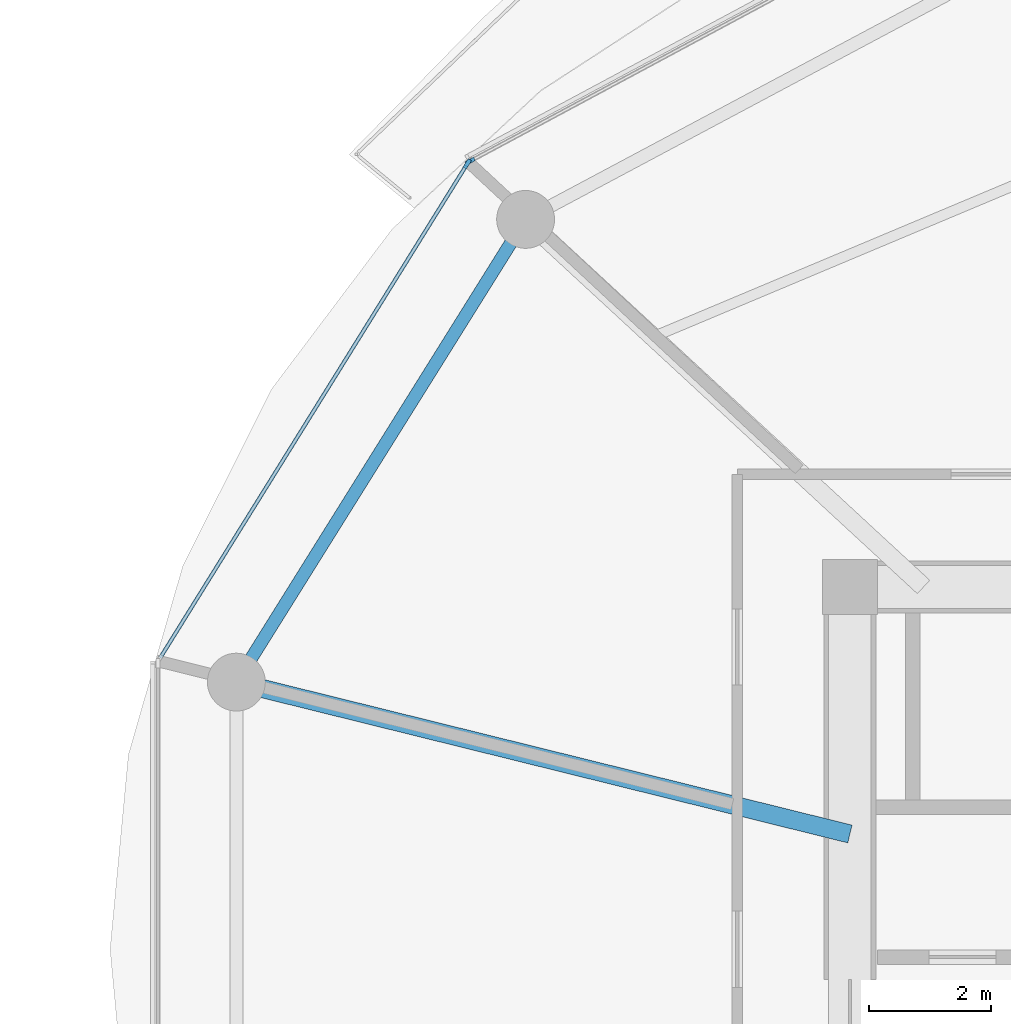
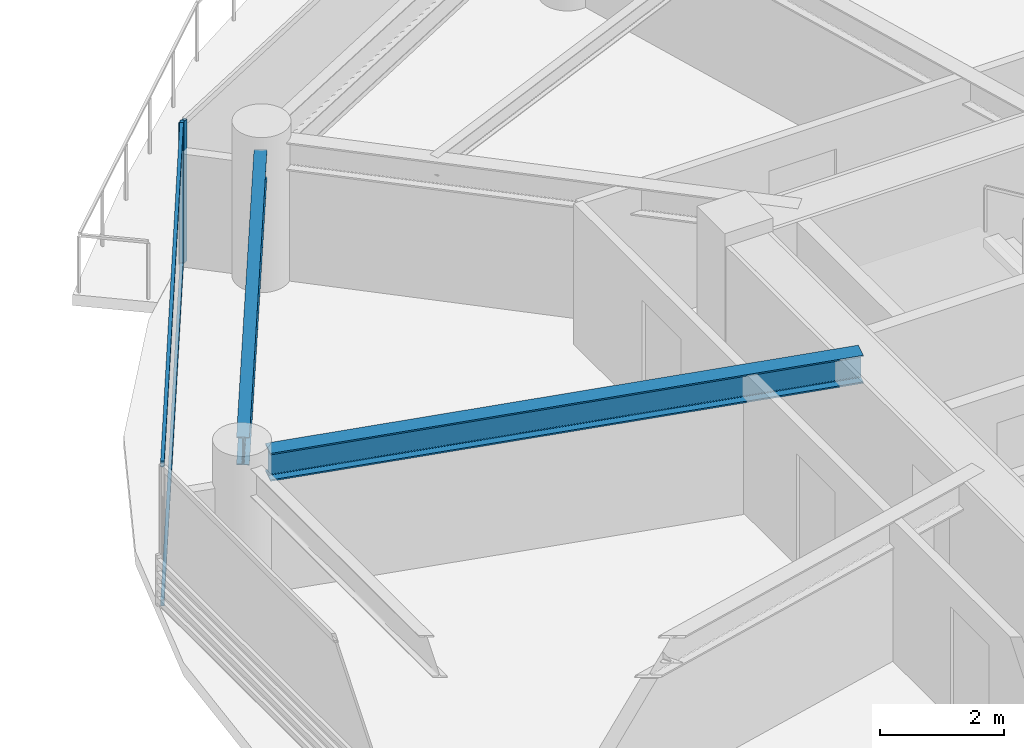
# One storey, part 8 of 27: 4 members, 2 beams, 2 elements without a shape of their own.
"""IFC4 building model written with IfcOpenShell, lengths in metres."""

from ifc_helpers import new_model, si_unit, direction, frame, origin, origin_2d, place, context, subcontext, project, spatial, rectangle, i_section, extrude, source, transform, mapped, material, layer, layer_set, material_profile, profile_set, type_object, type_shapes, element, aggregate, save


model = new_model("IFC4")

# Units and contexts
model_context = context("Model", 3, precision=1e-05, world=origin(), true_north=direction((0.0, 1.0)))
body_context = subcontext(model_context, "Body", "Model", "MODEL_VIEW")
ifc_project = project(units=[si_unit("LENGTHUNIT", "METRE"), si_unit("AREAUNIT", "SQUARE_METRE"), si_unit("VOLUMEUNIT", "CUBIC_METRE"), si_unit("PLANEANGLEUNIT", "RADIAN"), si_unit("MASSUNIT", "GRAM", prefix="KILO")], contexts=[model_context])

# Site, building, storey
site_placement = place(None, origin())
site = spatial("IfcSite", under=ifc_project, at=site_placement, CompositionType="ELEMENT")
building_placement = place(site_placement, origin())
building = spatial("IfcBuilding", under=site, at=building_placement, Name="Norrkilde Senior Care Towers", CompositionType="ELEMENT")
storey_placement = place(building_placement, frame((0.0, 0.0, 52.10009765625)))
storey = spatial("IfcBuildingStorey", under=building, at=storey_placement, Name="L15", CompositionType="ELEMENT", Elevation=52.10009765625)

# Beams
ifc_material_1 = material(Name="Steel S355", Category="steel")
ifc_material_profile_1 = material_profile(ifc_material_1, i_section(OverallWidth=0.2099609375, OverallDepth=0.550048828125, WebThickness=0.010986328125, FlangeThickness=0.01708984375, FilletRadius=0.02392578125, at=origin_2d()), Name="IPE 550")
ifc_profile_set_1 = profile_set([ifc_material_profile_1], Name="Steel S355")
beam_type_1 = type_object("IfcBeamType", Name="Perimeter Ring Spandrel Z1 IPE550", PredefinedType="SPANDREL", material=ifc_profile_set_1)
shared_shape_1 = source(origin(), body_context, "Body", "SweptSolid", [
    extrude(i_section(OverallWidth=0.2099609375, OverallDepth=0.550048828125, WebThickness=0.010986328125, FlangeThickness=0.01708984375, FilletRadius=0.02392578125, at=origin_2d()), origin(), (0.0, 0.0, 1.0), 8.090576171875),
])
type_shapes(beam_type_1, [shared_shape_1])
beam_1_placement = place(storey_placement, frame((14.7939453125, 11.61669921875, 2.514892578125), z_axis=(-0.530004364821, -0.84799491347, 0.0), x_axis=(0.84799491347, -0.530004364821, 0.0)))
element("IfcBeam", 1, at=beam_1_placement, inside=storey, type_object=beam_type_1, Name="L15 Drum E Perimeter Spandrel 05", PredefinedType="SPANDREL", context=body_context, shape_type="MappedRepresentation", body=[
    mapped(shared_shape_1, transform((0.0, 0.0, 0.0), x_axis=(1.0, 0.0, 0.0), y_axis=(0.0, 1.0, 0.0), z_axis=(0.0, 0.0, 1.0), scale=1.0)),
])
ifc_material_profile_2 = material_profile(ifc_material_1, i_section(OverallWidth=0.300048828125, OverallDepth=0.550048828125, WebThickness=0.014892578125, FlangeThickness=0.029052734375, FilletRadius=0.027099609375, at=origin_2d()), Name="HEB 550")
ifc_profile_set_2 = profile_set([ifc_material_profile_2], Name="Steel S355")
beam_type_2 = type_object("IfcBeamType", Name="Radial Floor Beam Z1 HEB550", PredefinedType="BEAM", material=ifc_profile_set_2)
shared_shape_2 = source(origin(), body_context, "Body", "SweptSolid", [
    extrude(i_section(OverallWidth=0.300048828125, OverallDepth=0.550048828125, WebThickness=0.014892578125, FlangeThickness=0.029052734375, FilletRadius=0.027099609375, at=origin_2d()), origin(), (0.0, 0.0, 1.0), 9.94384765625),
])
type_shapes(beam_type_2, [shared_shape_2])
beam_2_placement = place(storey_placement, frame((20.35009765625, 1.893310546875, 2.514892578125), z_axis=(-0.970707425182, 0.240264634718, 0.0), x_axis=(-0.240264634718, -0.970707425182, 0.0)))
element("IfcBeam", 2, at=beam_2_placement, inside=storey, type_object=beam_type_2, Name="L15 Drum E Radial Floor Beam 06", PredefinedType="BEAM", context=body_context, shape_type="MappedRepresentation", body=[
    mapped(shared_shape_2, transform((0.0, 0.0, 0.0), x_axis=(1.0, 0.0, 0.0), y_axis=(0.0, 1.0, 0.0), z_axis=(0.0, 0.0, 1.0), scale=1.0)),
])

# Curtain wall, member
ifc_material_2 = material(Name="Triple Low-E Insulated Glazing", Category="glass")
ifc_layer = layer(ifc_material_2, 0.199951171875)
ifc_layer_set = layer_set([ifc_layer], Name="Triple Low-E Insulated Glazing")
curtain_wall_type = type_object("IfcCurtainWallType", Name="CW2 Zone 1 Memory Care Curtain Wall", PredefinedType="NOTDEFINED", material=ifc_layer_set)
curtain_wall_1_placement = place(storey_placement, origin())
curtain_wall_1 = element("IfcCurtainWall", 3, at=curtain_wall_1_placement, inside=storey, type_object=curtain_wall_type, Name="L15 Drum E Curtain Wall 03", PredefinedType="NOTDEFINED")
ifc_material_3 = material(Name="Anodised Aluminium", Category="aluminium")
ifc_material_profile_3 = material_profile(ifc_material_3, rectangle(XDim=0.06494140625, YDim=0.159912109375, at=origin_2d()), Name="ALU MULL 65x160")
ifc_profile_set_3 = profile_set([ifc_material_profile_3], Name="Anodised Aluminium")
member_type_1 = type_object("IfcMemberType", Name="Curtain Wall Mullion Z1-Z2 65x160", PredefinedType="MULLION", material=ifc_profile_set_3)
shared_shape_3 = source(origin(), body_context, "Body", "SweptSolid", [
    extrude(rectangle(XDim=0.06494140625, YDim=0.159912109375, at=origin_2d()), origin(), (0.0, 0.0, 1.0), 2.789794921875),
])
type_shapes(member_type_1, [shared_shape_3])
member_1_placement = place(storey_placement, frame((14.11279296875, 12.941162109375, 0.0), z_axis=(0.0, 0.0, 1.0), x_axis=(-0.472607802456, 0.881272866403, 0.0)))
member_1 = element("IfcMember", 4, at=member_1_placement, type_object=member_type_1, Name="CW-2 mullion 1", PredefinedType="MULLION", context=body_context, shape_type="MappedRepresentation", body=[
    mapped(shared_shape_3, transform((0.0, 0.0, 0.0), x_axis=(1.0, 0.0, 0.0), y_axis=(0.0, 1.0, 0.0), z_axis=(0.0, 0.0, 1.0), scale=1.0)),
])
aggregate(curtain_wall_1, [member_1])

# Curtain wall, members
curtain_wall_2_placement = place(storey_placement, origin())
curtain_wall_2 = element("IfcCurtainWall", 5, at=curtain_wall_2_placement, inside=storey, type_object=curtain_wall_type, Name="L15 Drum E Curtain Wall 04", PredefinedType="NOTDEFINED")
member_2_placement = place(storey_placement, frame((14.06689453125, 12.898193359375, 0.0), z_axis=(0.0, 0.0, 1.0), x_axis=(-0.849305943117, 0.527900951871, 0.0)))
member_2 = element("IfcMember", 6, at=member_2_placement, type_object=member_type_1, Name="CW-2 mullion 2", PredefinedType="MULLION", context=body_context, shape_type="MappedRepresentation", body=[
    mapped(shared_shape_3, transform((0.0, 0.0, 0.0), x_axis=(1.0, 0.0, 0.0), y_axis=(0.0, 1.0, 0.0), z_axis=(0.0, 0.0, 1.0), scale=1.0)),
])
ifc_material_profile_4 = material_profile(ifc_material_3, rectangle(XDim=0.06005859375, YDim=0.1201171875, at=origin_2d()), Name="ALU TRAN 60x120")
ifc_profile_set_4 = profile_set([ifc_material_profile_4], Name="Anodised Aluminium")
member_type_2 = type_object("IfcMemberType", Name="Curtain Wall Transom Typical 60x120", PredefinedType="USERDEFINED", material=ifc_profile_set_4)
shared_shape_4 = source(origin(), body_context, "Body", "SweptSolid", [
    extrude(rectangle(XDim=0.06005859375, YDim=0.1201171875, at=origin_2d()), origin(), (0.0, 0.0, 1.0), 9.5185546875),
])
type_shapes(member_type_2, [shared_shape_4])
member_3_placement = place(storey_placement, frame((9.02490234375, 4.786376953125, 0.02978515625), z_axis=(0.527901620669, 0.849305527413, 0.0), x_axis=(-0.849305527413, 0.527901620669, 0.0)))
member_3 = element("IfcMember", 7, at=member_3_placement, type_object=member_type_2, Name="CW-2 transom 1.1", ObjectType="TRANSOM", PredefinedType="USERDEFINED", context=body_context, shape_type="MappedRepresentation", body=[
    mapped(shared_shape_4, transform((0.0, 0.0, 0.0), x_axis=(1.0, 0.0, 0.0), y_axis=(0.0, 1.0, 0.0), z_axis=(0.0, 0.0, 1.0), scale=1.0)),
])
member_4_placement = place(storey_placement, frame((9.02490234375, 4.786376953125, 2.760009765625), z_axis=(0.527901620669, 0.849305527413, 0.0), x_axis=(-0.849305527413, 0.527901620669, 0.0)))
member_4 = element("IfcMember", 8, at=member_4_placement, type_object=member_type_2, Name="CW-2 transom 1.2", ObjectType="TRANSOM", PredefinedType="USERDEFINED", context=body_context, shape_type="MappedRepresentation", body=[
    mapped(shared_shape_4, transform((0.0, 0.0, 0.0), x_axis=(1.0, 0.0, 0.0), y_axis=(0.0, 1.0, 0.0), z_axis=(0.0, 0.0, 1.0), scale=1.0)),
])
aggregate(curtain_wall_2, [member_2, member_3, member_4])

save(model, "model.ifc")
